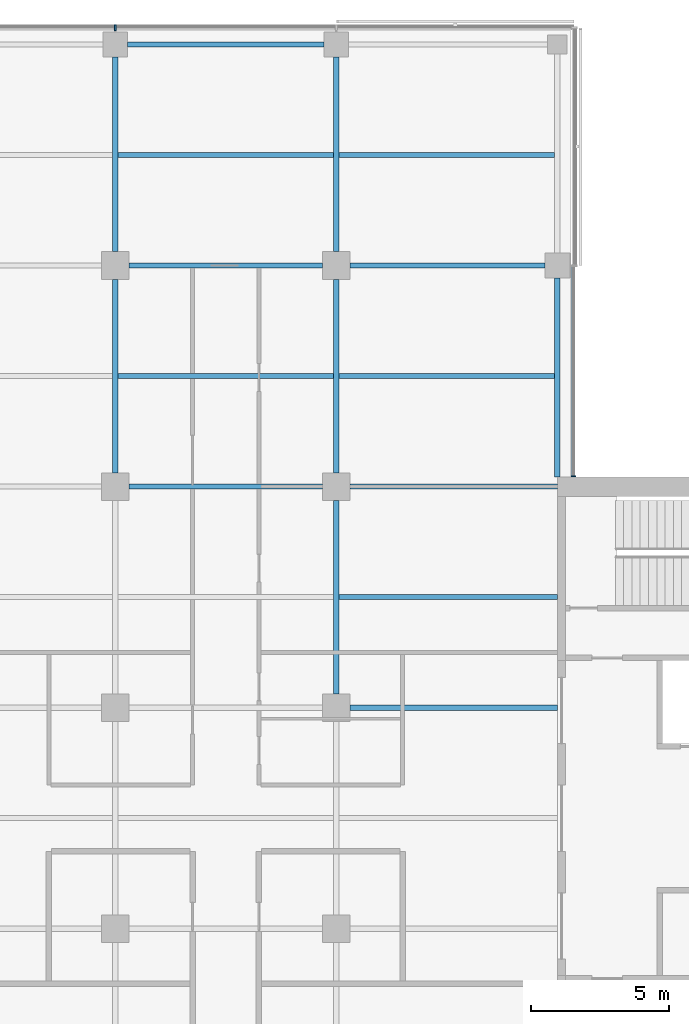
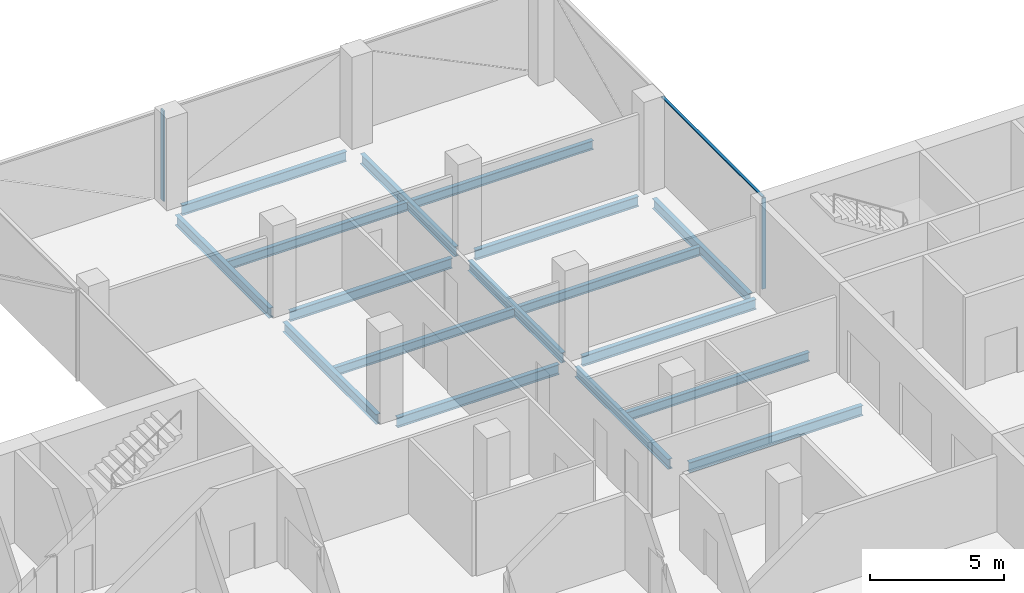
# One storey, part 9 of 22: 17 beams, 3 members, 2 elements without a shape of their own.
"""IFC4 building model written with IfcOpenShell, lengths in metres."""

from ifc_helpers import new_model, si_unit, direction, frame, origin, origin_2d, place, context, subcontext, project, spatial, rectangle, i_section, extrude, material, material_profile, profile_set, type_object, element, aggregate, save


model = new_model("IFC4")

# Units and contexts
model_context = context("Model", 3, precision=1e-05, world=origin(), true_north=direction((0.0, 1.0)))
body_context = subcontext(model_context, "Body", "Model", "MODEL_VIEW")
ifc_project = project(units=[si_unit("LENGTHUNIT", "METRE"), si_unit("AREAUNIT", "SQUARE_METRE"), si_unit("VOLUMEUNIT", "CUBIC_METRE"), si_unit("PLANEANGLEUNIT", "RADIAN"), si_unit("MASSUNIT", "GRAM", prefix="KILO")], contexts=[model_context])

# Site, building, storey
site_placement = place(None, origin())
site = spatial("IfcSite", under=ifc_project, at=site_placement, CompositionType="ELEMENT")
building_placement = place(site_placement, origin())
building = spatial("IfcBuilding", under=site, at=building_placement, Name="Crosswind Convention Tower", CompositionType="ELEMENT")
storey_placement = place(building_placement, frame((0.0, 0.0, 150.5)))
storey = spatial("IfcBuildingStorey", under=building, at=storey_placement, Name="L31", CompositionType="ELEMENT", Elevation=150.5)

# Beams
ifc_material_1 = material(Name="Steel S355", Category="steel")
ifc_material_profile_1 = material_profile(ifc_material_1, i_section(OverallWidth=0.18994140625, OverallDepth=0.45361328125, WebThickness=0.008544921875, FlangeThickness=0.0126953125, FilletRadius=0.01025390625, at=origin_2d()), Name="UB 457x191x67")
ifc_profile_set_1 = profile_set([ifc_material_profile_1], Name="Steel S355")
beam_type_1 = type_object("IfcBeamType", Name="Edge beam UB 457x191x67", PredefinedType="SPANDREL", material=ifc_profile_set_1)
beam_1_placement = place(storey_placement, frame((121.449951171875, 128.0, -0.52685546875), z_axis=(1.0, 0.0, 0.0), x_axis=(0.0, 1.0, 0.0)))
element("IfcBeam", 1, at=beam_1_placement, inside=storey, type_object=beam_type_1, Name="B16 L31 edge beam 13", PredefinedType="SPANDREL", context=body_context, shape_type="SweptSolid", body=[
    extrude(i_section(OverallWidth=0.18994140625, OverallDepth=0.45361328125, WebThickness=0.008544921875, FlangeThickness=0.0126953125, FilletRadius=0.01025390625, at=origin_2d()), origin(), (0.0, 0.0, 1.0), 7.10009765625),
])
beam_2_placement = place(storey_placement, frame((137.0, 112.35009765625, -0.52685546875), z_axis=(0.0, 1.0, 0.0), x_axis=(-1.0, 0.0, 0.0)))
element("IfcBeam", 2, at=beam_2_placement, inside=storey, type_object=beam_type_1, Name="B16 L31 edge beam 18", PredefinedType="SPANDREL", context=body_context, shape_type="SweptSolid", body=[
    extrude(i_section(OverallWidth=0.18994140625, OverallDepth=0.45361328125, WebThickness=0.008544921875, FlangeThickness=0.0126953125, FilletRadius=0.01025390625, at=origin_2d()), origin(), (0.0, 0.0, 1.0), 7.199951171875),
])
ifc_material_profile_2 = material_profile(ifc_material_1, i_section(OverallWidth=0.19140625, OverallDepth=0.460205078125, WebThickness=0.010009765625, FlangeThickness=0.01611328125, FilletRadius=0.01025390625, at=origin_2d()), Name="UB 457x191x82")
ifc_profile_set_2 = profile_set([ifc_material_profile_2], Name="Steel S355")
beam_type_2 = type_object("IfcBeamType", Name="Girder UB 457x191x82", PredefinedType="BEAM", material=ifc_profile_set_2)
beam_3_placement = place(storey_placement, frame((121.0, 112.5, -0.530029296875), z_axis=(0.0, 1.0, 0.0), x_axis=(-1.0, 0.0, 0.0)))
element("IfcBeam", 3, at=beam_3_placement, inside=storey, type_object=beam_type_2, Name="B3 L31 girder 8", PredefinedType="BEAM", context=body_context, shape_type="SweptSolid", body=[
    extrude(i_section(OverallWidth=0.19140625, OverallDepth=0.460205078125, WebThickness=0.010009765625, FlangeThickness=0.01611328125, FilletRadius=0.01025390625, at=origin_2d()), origin(), (0.0, 0.0, 1.0), 7.0),
])
beam_4_placement = place(storey_placement, frame((121.0, 120.5, -0.530029296875), z_axis=(0.0, 1.0, 0.0), x_axis=(-1.0, 0.0, 0.0)))
element("IfcBeam", 4, at=beam_4_placement, inside=storey, type_object=beam_type_2, Name="B3 L31 girder 9", PredefinedType="BEAM", context=body_context, shape_type="SweptSolid", body=[
    extrude(i_section(OverallWidth=0.19140625, OverallDepth=0.460205078125, WebThickness=0.010009765625, FlangeThickness=0.01611328125, FilletRadius=0.01025390625, at=origin_2d()), origin(), (0.0, 0.0, 1.0), 7.050048828125),
])
for number, where, z_axis, x_axis, name in (
    (5, (121.5, 112.0, -0.530029296875), (1.0, 0.0, 0.0), (0.0, 1.0, 0.0), "B3 L31 girder 14"),
    (6, (121.5, 120.0, -0.530029296875), (1.0, 0.0, 0.0), (0.0, 1.0, 0.0), "B3 L31 girder 15"),
    (7, (129.0, 104.5, -0.530029296875), (0.0, 1.0, 0.0), (-1.0, 0.0, 0.0), "B3 L31 girder 20"),
    (8, (129.0, 112.5, -0.530029296875), (0.0, 1.0, 0.0), (-1.0, 0.0, 0.0), "B3 L31 girder 21"),
):
    element("IfcBeam", number, at=place(storey_placement, frame(where, z_axis=z_axis, x_axis=x_axis)), inside=storey, type_object=beam_type_2, Name=name, PredefinedType="BEAM", context=body_context, shape_type="SweptSolid", body=[
        extrude(i_section(OverallWidth=0.19140625, OverallDepth=0.460205078125, WebThickness=0.010009765625, FlangeThickness=0.01611328125, FilletRadius=0.01025390625, at=origin_2d()), origin(), (0.0, 0.0, 1.0), 7.0),
    ])
for number, where, z_axis, x_axis, name in (
    (9, (129.0, 120.5, -0.530029296875), (0.0, 1.0, 0.0), (-1.0, 0.0, 0.0), "B3 L31 girder 22"),
    (10, (129.5, 120.0, -0.530029296875), (1.0, 0.0, 0.0), (0.0, 1.0, 0.0), "B3 L31 girder 24"),
):
    element("IfcBeam", number, at=place(storey_placement, frame(where, z_axis=z_axis, x_axis=x_axis)), inside=storey, type_object=beam_type_2, Name=name, PredefinedType="BEAM", context=body_context, shape_type="SweptSolid", body=[
        extrude(i_section(OverallWidth=0.19140625, OverallDepth=0.460205078125, WebThickness=0.010009765625, FlangeThickness=0.01611328125, FilletRadius=0.01025390625, at=origin_2d()), origin(), (0.0, 0.0, 1.0), 7.050048828125),
    ])
ifc_material_profile_3 = material_profile(ifc_material_1, i_section(OverallWidth=0.19189453125, OverallDepth=0.463623046875, WebThickness=0.010498046875, FlangeThickness=0.017578125, FilletRadius=0.01025390625, at=origin_2d()), Name="UB 457x191x90")
ifc_profile_set_3 = profile_set([ifc_material_profile_3], Name="Steel S355")
beam_type_3 = type_object("IfcBeamType", Name="Girder at core wall UB 457x191x90", PredefinedType="BEAM", material=ifc_profile_set_3)
for number, where, z_axis, x_axis, name in (
    (11, (129.5, 104.0, -0.53173828125), (1.0, 0.0, 0.0), (0.0, 1.0, 0.0), "B24 L31 girder at core wall 9"),
    (12, (129.5, 112.0, -0.53173828125), (1.0, 0.0, 0.0), (0.0, 1.0, 0.0), "B24 L31 girder at core wall 10"),
):
    element("IfcBeam", number, at=place(storey_placement, frame(where, z_axis=z_axis, x_axis=x_axis)), inside=storey, type_object=beam_type_3, Name=name, PredefinedType="BEAM", context=body_context, shape_type="SweptSolid", body=[
        extrude(i_section(OverallWidth=0.19189453125, OverallDepth=0.463623046875, WebThickness=0.010498046875, FlangeThickness=0.017578125, FilletRadius=0.01025390625, at=origin_2d()), origin(), (0.0, 0.0, 1.0), 7.5),
    ])

# Curtain wall, member
ifc_material_2 = material(Name="Aluminium unitised curtain wall", Category="aluminium")
curtain_wall_type_1 = type_object("IfcCurtainWallType", Name="CORE END SLOT WALL 160", PredefinedType="USERDEFINED", material=ifc_material_2)
curtain_wall_1_placement = place(storey_placement, origin())
curtain_wall_1 = element("IfcCurtainWall", 13, at=curtain_wall_1_placement, inside=storey, type_object=curtain_wall_type_1, Name="CW6 L31 N-E.1-1 slot", ObjectType="UNITISED", PredefinedType="USERDEFINED")
ifc_material_3 = material(Name="Aluminium mullion", Category="aluminium")
ifc_material_profile_4 = material_profile(ifc_material_3, rectangle(XDim=0.159912109375, YDim=0.050048828125, at=origin_2d()), Name="AL 160X50")
ifc_profile_set_4 = profile_set([ifc_material_profile_4], Name="Aluminium mullion")
member_type_1 = type_object("IfcMemberType", Name="MULLION 50X160", PredefinedType="MULLION", material=ifc_profile_set_4)
member_1_placement = place(storey_placement, frame((137.580078125, 112.375, -0.300048828125), z_axis=(0.0, 0.0, 1.0), x_axis=(1.0, 0.0, 0.0)))
member_1 = element("IfcMember", 14, at=member_1_placement, type_object=member_type_1, Name="CW6 mullion 1", PredefinedType="MULLION", context=body_context, shape_type="SweptSolid", body=[
    extrude(rectangle(XDim=0.159912109375, YDim=0.050048828125, at=origin_2d()), origin(), (0.0, 0.0, 1.0), 4.150146484375),
])

curtain_wall_type_2 = type_object("IfcCurtainWallType", Name="OFFICE UNITISED WALL 220", PredefinedType="USERDEFINED", material=ifc_material_2)
curtain_wall_2_placement = place(storey_placement, origin())
curtain_wall_2 = element("IfcCurtainWall", 15, at=curtain_wall_2_placement, inside=storey, type_object=curtain_wall_type_2, Name="CW3 L31 N-TIP 1", ObjectType="UNITISED", PredefinedType="USERDEFINED")
ifc_material_profile_5 = material_profile(ifc_material_3, rectangle(XDim=0.219970703125, YDim=0.070068359375, at=origin_2d()), Name="AL 220X70")
ifc_profile_set_5 = profile_set([ifc_material_profile_5], Name="Aluminium mullion")
member_type_2 = type_object("IfcMemberType", Name="MULLION 70X220", PredefinedType="MULLION", material=ifc_profile_set_5)
member_2_placement = place(storey_placement, frame((121.0, 128.610107421875, -0.300048828125), z_axis=(0.0, 0.0, 1.0), x_axis=(0.0, 1.0, 0.0)))
member_2 = element("IfcMember", 16, at=member_2_placement, type_object=member_type_2, Name="CW3 mullion 3", PredefinedType="MULLION", context=body_context, shape_type="SweptSolid", body=[
    extrude(rectangle(XDim=0.219970703125, YDim=0.070068359375, at=origin_2d()), origin(), (0.0, 0.0, 1.0), 4.130126953125),
])
aggregate(curtain_wall_2, [member_2])

# Beams
ifc_material_profile_6 = material_profile(ifc_material_1, i_section(OverallWidth=0.177734375, OverallDepth=0.406494140625, WebThickness=0.0078125, FlangeThickness=0.0126953125, FilletRadius=0.01025390625, at=origin_2d()), Name="UB 406x178x60")
ifc_profile_set_6 = profile_set([ifc_material_profile_6], Name="Steel S355")
beam_type_4 = type_object("IfcBeamType", Name="Secondary beam UB 406x178x60", PredefinedType="JOIST", material=ifc_profile_set_6)
for number, where, z_axis, x_axis, name in (
    (17, (121.095703125, 116.0, -0.503173828125), (1.0, 0.0, 0.0), (0.0, 1.0, 0.0), "B10 L31 secondary beam 16"),
    (18, (121.095703125, 124.0, -0.503173828125), (1.0, 0.0, 0.0), (0.0, 1.0, 0.0), "B10 L31 secondary beam 17"),
):
    element("IfcBeam", number, at=place(storey_placement, frame(where, z_axis=z_axis, x_axis=x_axis)), inside=storey, type_object=beam_type_4, Name=name, PredefinedType="JOIST", context=body_context, shape_type="SweptSolid", body=[
        extrude(i_section(OverallWidth=0.177734375, OverallDepth=0.406494140625, WebThickness=0.0078125, FlangeThickness=0.0126953125, FilletRadius=0.01025390625, at=origin_2d()), origin(), (0.0, 0.0, 1.0), 7.80859375),
    ])
beam_5_placement = place(storey_placement, frame((129.095703125, 108.0, -0.503173828125), z_axis=(1.0, 0.0, 0.0), x_axis=(0.0, 1.0, 0.0)))
element("IfcBeam", 19, at=beam_5_placement, inside=storey, type_object=beam_type_4, Name="B10 L31 secondary beam 22", PredefinedType="JOIST", context=body_context, shape_type="SweptSolid", body=[
    extrude(i_section(OverallWidth=0.177734375, OverallDepth=0.406494140625, WebThickness=0.0078125, FlangeThickness=0.0126953125, FilletRadius=0.01025390625, at=origin_2d()), origin(), (0.0, 0.0, 1.0), 7.904296875),
])
for number, where, z_axis, x_axis, name in (
    (20, (129.095703125, 116.0, -0.503173828125), (1.0, 0.0, 0.0), (0.0, 1.0, 0.0), "B10 L31 secondary beam 23"),
    (21, (129.095703125, 124.0, -0.503173828125), (1.0, 0.0, 0.0), (0.0, 1.0, 0.0), "B10 L31 secondary beam 24"),
):
    element("IfcBeam", number, at=place(storey_placement, frame(where, z_axis=z_axis, x_axis=x_axis)), inside=storey, type_object=beam_type_4, Name=name, PredefinedType="JOIST", context=body_context, shape_type="SweptSolid", body=[
        extrude(i_section(OverallWidth=0.177734375, OverallDepth=0.406494140625, WebThickness=0.0078125, FlangeThickness=0.0126953125, FilletRadius=0.01025390625, at=origin_2d()), origin(), (0.0, 0.0, 1.0), 7.809326171875),
    ])

# Member
ifc_material_4 = material(Name="Aluminium transom", Category="aluminium")
ifc_material_profile_7 = material_profile(ifc_material_4, rectangle(XDim=0.1201171875, YDim=0.050048828125, at=origin_2d()), Name="AL 120X50")
ifc_profile_set_7 = profile_set([ifc_material_profile_7], Name="Aluminium transom")
member_type_3 = type_object("IfcMemberType", Name="TRANSOM 50X120", PredefinedType="USERDEFINED", material=ifc_profile_set_7)
member_3_placement = place(storey_placement, frame((137.580078125, 112.39990234375, 3.875), z_axis=(0.0, 1.0, 0.0), x_axis=(-1.0, 0.0, 0.0)))
member_3 = element("IfcMember", 22, at=member_3_placement, type_object=member_type_3, Name="CW6 transom", ObjectType="TRANSOM", PredefinedType="USERDEFINED", context=body_context, shape_type="SweptSolid", body=[
    extrude(rectangle(XDim=0.1201171875, YDim=0.050048828125, at=origin_2d()), origin(), (0.0, 0.0, 1.0), 7.550048828125),
])

aggregate(curtain_wall_1, [member_1, member_3])

save(model, "model.ifc")
